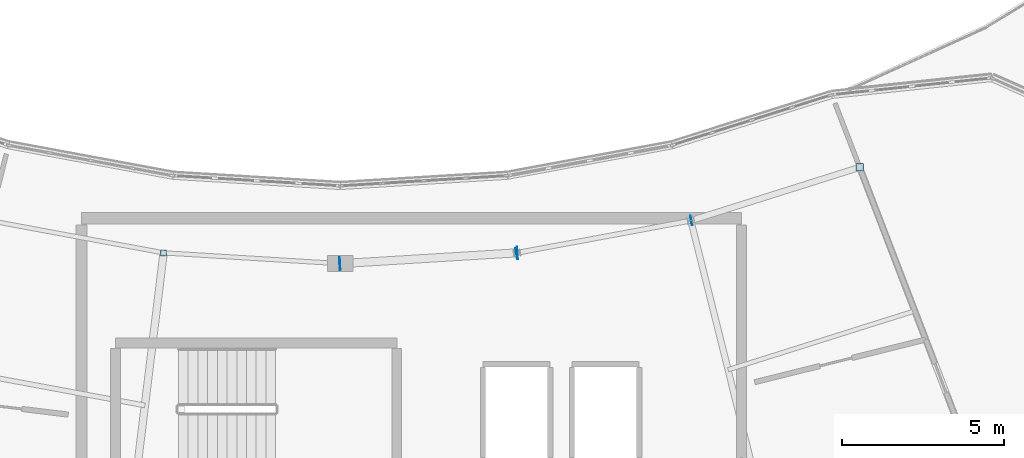
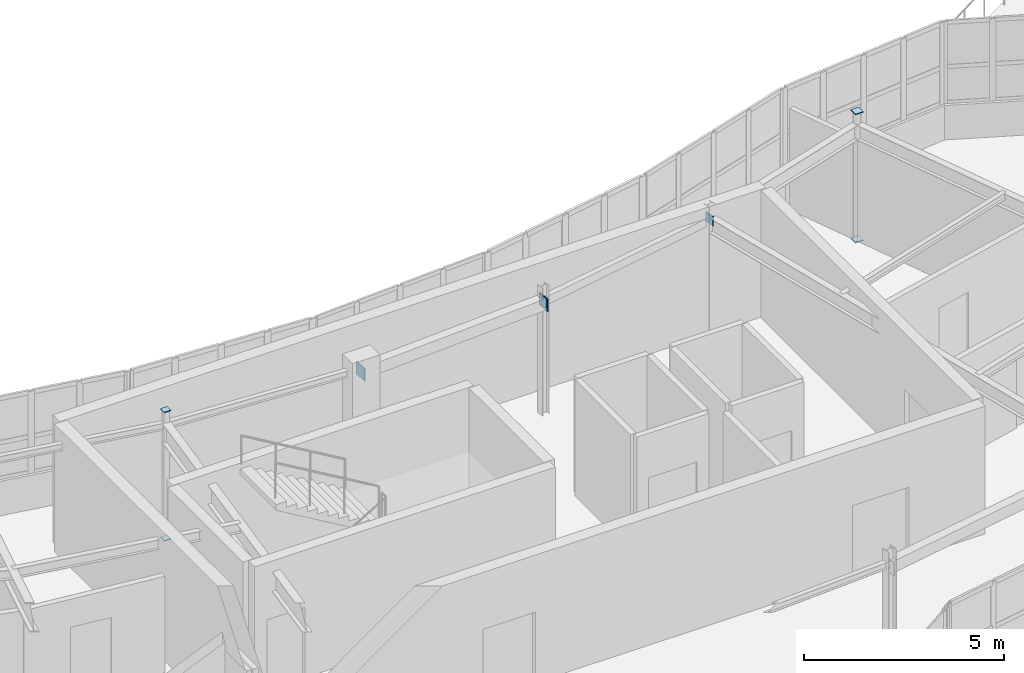
# One storey, part 47 of 65: 8 plates.
"""IFC4 building model written with IfcOpenShell, lengths in metres."""

from ifc_helpers import new_model, si_unit, direction, frame, origin, origin_2d, place, context, subcontext, project, spatial, rectangle, extrude, material, layer, layer_set, type_object, element, save


model = new_model("IFC4")

# Units and contexts
model_context = context("Model", 3, precision=1e-05, world=origin(), true_north=direction((0.0, 1.0)))
body_context = subcontext(model_context, "Body", "Model", "MODEL_VIEW")
ifc_project = project(units=[si_unit("LENGTHUNIT", "METRE"), si_unit("AREAUNIT", "SQUARE_METRE"), si_unit("VOLUMEUNIT", "CUBIC_METRE"), si_unit("PLANEANGLEUNIT", "RADIAN"), si_unit("MASSUNIT", "GRAM", prefix="KILO")], contexts=[model_context])

# Site, building, storey
site_placement = place(None, origin())
site = spatial("IfcSite", under=ifc_project, at=site_placement, CompositionType="ELEMENT")
building_placement = place(site_placement, origin())
building = spatial("IfcBuilding", under=site, at=building_placement, Name="Tarnwether General Hospital", CompositionType="ELEMENT")
storey_placement = place(building_placement, frame((0.0, 0.0, 22.199951171875)))
storey = spatial("IfcBuildingStorey", under=building, at=storey_placement, Name="L05", CompositionType="ELEMENT", Elevation=22.199951171875)

# Plates
ifc_material = material(Name="Steel Grade 350 (350 MPa)", Category="steel")
ifc_layer = layer(ifc_material, 0.02490234375)
ifc_layer_set = layer_set([ifc_layer], Name="Steel Grade 350 (350 MPa)")
plate_type = type_object("IfcPlateType", Name="PT-GUS2", PredefinedType="USERDEFINED", material=ifc_layer_set)
for number, where, z_axis, x_axis, name in (
    (1, (86.5400390625, 18.533935546875, -0.02490234375), (0.0, 0.0, 1.0), (1.0, 0.0, 0.0), "Hollow Section Welded End Cap Plate 0673"),
    (2, (86.5400390625, 18.533935546875, 3.900146484375), (0.0, 0.0, 1.0), (1.0, 0.0, 0.0), "Hollow Section Welded End Cap Plate 0674"),
):
    element("IfcPlate", number, at=place(storey_placement, frame(where, z_axis=z_axis, x_axis=x_axis)), inside=storey, type_object=plate_type, Name=name, ObjectType="GUSSET", PredefinedType="USERDEFINED", context=body_context, shape_type="SweptSolid", body=[
        extrude(rectangle(XDim=0.18994140625, YDim=0.18994140625, at=origin_2d()), origin(), (0.0, 0.0, 1.0), 0.02490234375),
    ])
for number, where, z_axis, x_axis, name in (
    (3, (108.054931640625, 21.176025390625, -0.02490234375), (0.0, 0.0, 1.0), (1.0, 0.0, 0.0), "Hollow Section Welded End Cap Plate 0725"),
    (4, (108.054931640625, 21.176025390625, 3.900146484375), (0.0, 0.0, 1.0), (1.0, 0.0, 0.0), "Hollow Section Welded End Cap Plate 0726"),
):
    element("IfcPlate", number, at=place(storey_placement, frame(where, z_axis=z_axis, x_axis=x_axis)), inside=storey, type_object=plate_type, Name=name, ObjectType="GUSSET", PredefinedType="USERDEFINED", context=body_context, shape_type="SweptSolid", body=[
        extrude(rectangle(XDim=0.23388671875, YDim=0.23388671875, at=origin_2d()), origin(), (0.0, 0.0, 1.0), 0.02490234375),
    ])
for number, where, z_axis, x_axis, name in (
    (5, (91.987548828125, 18.19921875, 3.18994140625), (0.0, 0.0, 1.0), (0.998133732772, 0.061065960264, 0.0), "Hollow Section Welded End Cap Plate 1151"),
    (6, (97.472412109375, 18.534912109375, 3.18994140625), (0.0, 0.0, 1.0), (0.998133732772, 0.061065960264, 0.0), "Hollow Section Welded End Cap Plate 1152"),
):
    element("IfcPlate", number, at=place(storey_placement, frame(where, z_axis=z_axis, x_axis=x_axis)), inside=storey, type_object=plate_type, Name=name, ObjectType="GUSSET", PredefinedType="USERDEFINED", context=body_context, shape_type="SweptSolid", body=[
        extrude(rectangle(XDim=0.02490234375, YDim=0.389892578125, at=origin_2d()), origin(), (0.0, 0.0, 1.0), 0.389892578125),
    ])
for number, where, z_axis, x_axis, name in (
    (7, (97.44775390625, 18.53173828125, 3.2900390625), (0.0, 0.0, 1.0), (0.983245364386, 0.182287008349, 0.0), "Hollow Section Welded End Cap Plate 1155"),
    (8, (102.850341796875, 19.533203125, 3.2900390625), (0.0, 0.0, 1.0), (0.983245364386, 0.182287008349, 0.0), "Hollow Section Welded End Cap Plate 1156"),
):
    element("IfcPlate", number, at=place(storey_placement, frame(where, z_axis=z_axis, x_axis=x_axis)), inside=storey, type_object=plate_type, Name=name, ObjectType="GUSSET", PredefinedType="USERDEFINED", context=body_context, shape_type="SweptSolid", body=[
        extrude(rectangle(XDim=0.02490234375, YDim=0.2900390625, at=origin_2d()), origin(), (0.0, 0.0, 1.0), 0.2900390625),
    ])

save(model, "model.ifc")
